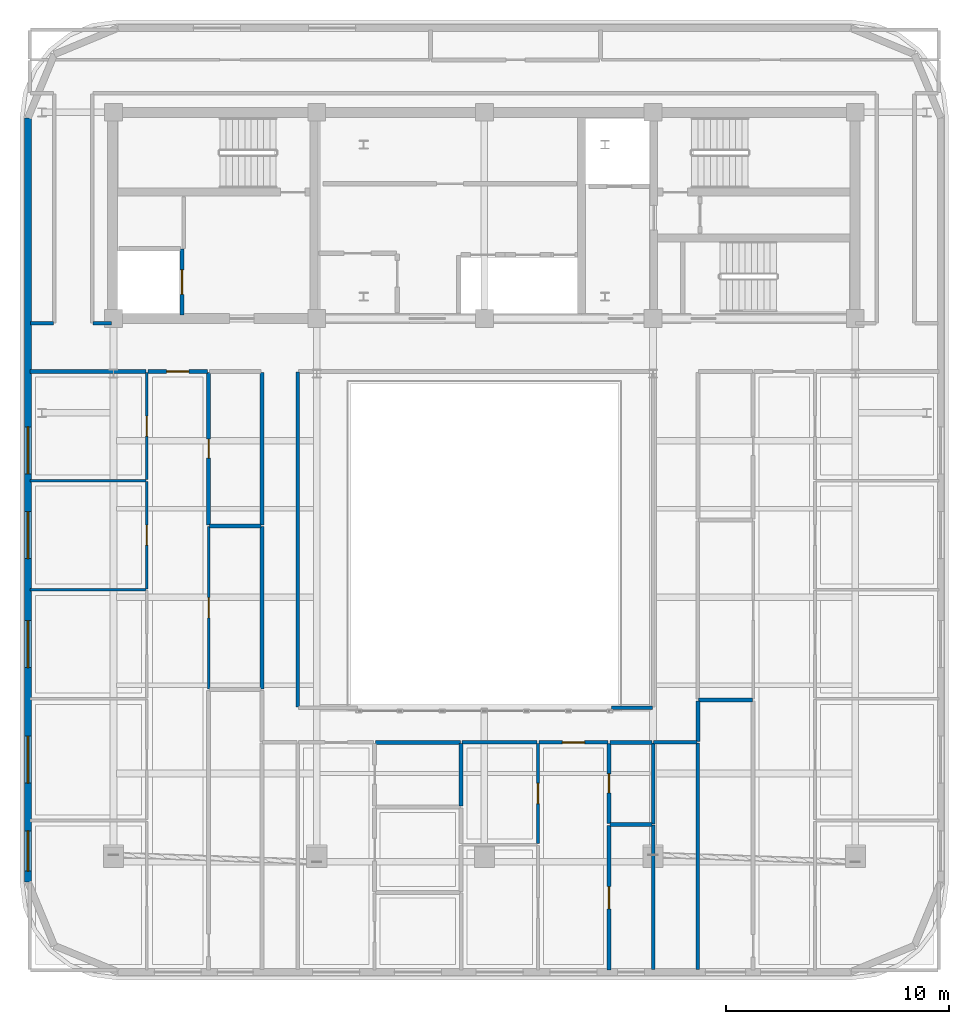
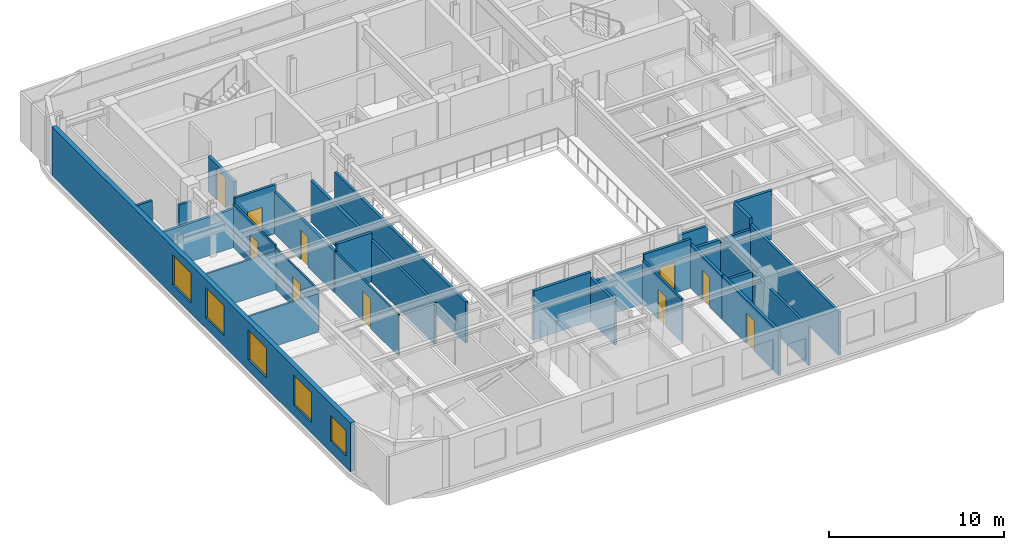
# One storey, part 7 of 13: 32 walls, 10 doors, 5 windows, 15 openings.
"""IFC4 building model written with IfcOpenShell, lengths in metres."""

from ifc_helpers import new_model, si_unit, direction, frame, frame_2d, origin, place, context, subcontext, project, spatial, rectangle, extrude, material, layer, layer_set, type_object, element, fill, save


model = new_model("IFC4")

# Units and contexts
model_context = context("Model", 3, precision=1e-05, world=origin(), true_north=direction((0.0, 1.0)))
body_context = subcontext(model_context, "Body", "Model", "MODEL_VIEW")
ifc_project = project(units=[si_unit("LENGTHUNIT", "METRE"), si_unit("AREAUNIT", "SQUARE_METRE"), si_unit("VOLUMEUNIT", "CUBIC_METRE"), si_unit("PLANEANGLEUNIT", "RADIAN"), si_unit("MASSUNIT", "GRAM", prefix="KILO")], contexts=[model_context])

# Site, building, storey
site_placement = place(None, origin())
site = spatial("IfcSite", under=ifc_project, at=site_placement, CompositionType="ELEMENT")
building_placement = place(site_placement, origin())
building = spatial("IfcBuilding", under=site, at=building_placement, Name="Zarnavel Station Tower", CompositionType="ELEMENT")
storey_placement = place(building_placement, frame((0.0, 0.0, 247.300048828125)))
storey = spatial("IfcBuildingStorey", under=building, at=storey_placement, Name="L67", CompositionType="ELEMENT", Elevation=247.300048828125)

# Wall, openings, windows
ifc_material_1 = material(Name="Precast concrete C45/55 (Dark Basalt Finish)", Category="masonry")
ifc_layer_1 = layer(ifc_material_1, 0.300048828125)
ifc_layer_set_1 = layer_set([ifc_layer_1], Name="EW_BASALT_300")
wall_type_1 = type_object("IfcWallType", Name="EW_BASALT_300", PredefinedType="SOLIDWALL", material=ifc_layer_set_1)
wall_1_placement = place(storey_placement, frame((8.3798828125, 2.60009765625, 0.0), z_axis=(0.0, 0.0, 1.0), x_axis=(0.0, 1.0, 0.0)))
wall_1 = element("IfcWall", 1, at=wall_1_placement, inside=storey, type_object=wall_type_1, Name="L67 Exterior Basalt Masonry Frame Wall 09", PredefinedType="SOLIDWALL", context=body_context, shape_type="SweptSolid", body=[
    extrude(rectangle(XDim=34.199951171875, YDim=0.300048828125, at=frame_2d((17.10009765625, 0.0))), origin(), (0.0, 0.0, 1.0), 3.419921875),
])
opening_1_placement = place(wall_1_placement, frame((0.488525390625, 0.0, 0.800048828125)))
opening_1 = element("IfcOpeningElement", 2, at=opening_1_placement, cuts=wall_1, Name="Opening WN02", PredefinedType="OPENING", context=body_context, shape_type="SweptSolid", body=[
    extrude(rectangle(XDim=1.800048828125, YDim=1.800048828125, at=frame_2d((0.89990234375, 0.89990234375))), frame((0.0, 0.159912109375, 0.0), z_axis=(0.0, -1.0, 0.0), x_axis=(1.0, 0.0, 0.0)), (0.0, 0.0, 1.0), 0.320068359375),
])
opening_2_placement = place(wall_1_placement, frame((4.431396484375, 0.0, 0.75)))
opening_2 = element("IfcOpeningElement", 3, at=opening_2_placement, cuts=wall_1, Name="Opening WN05", PredefinedType="OPENING", context=body_context, shape_type="SweptSolid", body=[
    extrude(rectangle(XDim=2.10009765625, YDim=2.10009765625, at=frame_2d((1.050048828125, 1.050048828125))), frame((0.0, 0.159912109375, 0.0), z_axis=(0.0, -1.0, 0.0), x_axis=(1.0, 0.0, 0.0)), (0.0, 0.0, 1.0), 0.320068359375),
])
opening_3_placement = place(wall_1_placement, frame((9.596435546875, 0.0, 0.75)))
opening_3 = element("IfcOpeningElement", 4, at=opening_3_placement, cuts=wall_1, Name="Opening WN05", PredefinedType="OPENING", context=body_context, shape_type="SweptSolid", body=[
    extrude(rectangle(XDim=2.10009765625, YDim=2.10009765625, at=frame_2d((1.050048828125, 1.050048828125))), frame((0.0, 0.159912109375, 0.0), z_axis=(0.0, -1.0, 0.0), x_axis=(1.0, 0.0, 0.0)), (0.0, 0.0, 1.0), 0.320068359375),
])
opening_4_placement = place(wall_1_placement, frame((14.4775390625, 0.0, 0.75)))
opening_4 = element("IfcOpeningElement", 5, at=opening_4_placement, cuts=wall_1, Name="Opening WN05", PredefinedType="OPENING", context=body_context, shape_type="SweptSolid", body=[
    extrude(rectangle(XDim=2.10009765625, YDim=2.10009765625, at=frame_2d((1.050048828125, 1.050048828125))), frame((0.0, 0.159912109375, 0.0), z_axis=(0.0, -1.0, 0.0), x_axis=(1.0, 0.0, 0.0)), (0.0, 0.0, 1.0), 0.320068359375),
])
opening_5_placement = place(wall_1_placement, frame((18.26806640625, 0.0, 0.75)))
opening_5 = element("IfcOpeningElement", 6, at=opening_5_placement, cuts=wall_1, Name="Opening WN05", PredefinedType="OPENING", context=body_context, shape_type="SweptSolid", body=[
    extrude(rectangle(XDim=2.10009765625, YDim=2.10009765625, at=frame_2d((1.050048828125, 1.050048828125))), frame((0.0, 0.159912109375, 0.0), z_axis=(0.0, -1.0, 0.0), x_axis=(1.0, 0.0, 0.0)), (0.0, 0.0, 1.0), 0.320068359375),
])
ifc_material_2 = material(Name="Thermally Broken Black Aluminium and Low-E Dark Glass", Category="aluminium")
window_type_1 = type_object("IfcWindowType", Name="WN_1800x1800", PartitioningType="DOUBLE_PANEL_VERTICAL", PredefinedType="WINDOW", material=ifc_material_2)
window_1_placement = place(opening_1_placement, origin())
window_1 = element("IfcWindow", 7, at=window_1_placement, inside=storey, type_object=window_type_1, Name="L67 Recessed Facade Window 01", OverallHeight=1.800048828125, OverallWidth=1.800048828125, PartitioningType="SINGLE_PANEL", PredefinedType="WINDOW", context=body_context, shape_type="SweptSolid", body=[
    extrude(rectangle(XDim=1.800048828125, YDim=1.800048828125, at=frame_2d((0.89990234375, 0.89990234375))), frame((0.0, 0.030029296875, 0.0), z_axis=(0.0, -1.0, 0.0), x_axis=(1.0, 0.0, 0.0)), (0.0, 0.0, 1.0), 0.06005859375),
])
fill(opening_1, window_1)
ifc_material_3 = material(Name="Thermally Broken Black Aluminium and Low-E Dark Glass", Category="aluminium")
window_type_2 = type_object("IfcWindowType", Name="WN_2100x2100", PartitioningType="TRIPLE_PANEL_VERTICAL", PredefinedType="WINDOW", material=ifc_material_3)
window_2_placement = place(opening_2_placement, origin())
window_2 = element("IfcWindow", 8, at=window_2_placement, inside=storey, type_object=window_type_2, Name="L67 Recessed Facade Window 02", OverallHeight=2.10009765625, OverallWidth=2.10009765625, PartitioningType="SINGLE_PANEL", PredefinedType="WINDOW", context=body_context, shape_type="SweptSolid", body=[
    extrude(rectangle(XDim=2.10009765625, YDim=2.10009765625, at=frame_2d((1.050048828125, 1.050048828125))), frame((0.0, 0.030029296875, 0.0), z_axis=(0.0, -1.0, 0.0), x_axis=(1.0, 0.0, 0.0)), (0.0, 0.0, 1.0), 0.06005859375),
])
fill(opening_2, window_2)
window_3_placement = place(opening_3_placement, origin())
window_3 = element("IfcWindow", 9, at=window_3_placement, inside=storey, type_object=window_type_2, Name="L67 Recessed Facade Window 03", OverallHeight=2.10009765625, OverallWidth=2.10009765625, PartitioningType="SINGLE_PANEL", PredefinedType="WINDOW", context=body_context, shape_type="SweptSolid", body=[
    extrude(rectangle(XDim=2.10009765625, YDim=2.10009765625, at=frame_2d((1.050048828125, 1.050048828125))), frame((0.0, 0.030029296875, 0.0), z_axis=(0.0, -1.0, 0.0), x_axis=(1.0, 0.0, 0.0)), (0.0, 0.0, 1.0), 0.06005859375),
])
fill(opening_3, window_3)
window_4_placement = place(opening_4_placement, origin())
window_4 = element("IfcWindow", 10, at=window_4_placement, inside=storey, type_object=window_type_2, Name="L67 Recessed Facade Window 04", OverallHeight=2.10009765625, OverallWidth=2.10009765625, PartitioningType="SINGLE_PANEL", PredefinedType="WINDOW", context=body_context, shape_type="SweptSolid", body=[
    extrude(rectangle(XDim=2.10009765625, YDim=2.10009765625, at=frame_2d((1.050048828125, 1.050048828125))), frame((0.0, 0.030029296875, 0.0), z_axis=(0.0, -1.0, 0.0), x_axis=(1.0, 0.0, 0.0)), (0.0, 0.0, 1.0), 0.06005859375),
])
fill(opening_4, window_4)
window_5_placement = place(opening_5_placement, origin())
window_5 = element("IfcWindow", 11, at=window_5_placement, inside=storey, type_object=window_type_2, Name="L67 Recessed Facade Window 05", OverallHeight=2.10009765625, OverallWidth=2.10009765625, PartitioningType="SINGLE_PANEL", PredefinedType="WINDOW", context=body_context, shape_type="SweptSolid", body=[
    extrude(rectangle(XDim=2.10009765625, YDim=2.10009765625, at=frame_2d((1.050048828125, 1.050048828125))), frame((0.0, 0.030029296875, 0.0), z_axis=(0.0, -1.0, 0.0), x_axis=(1.0, 0.0, 0.0)), (0.0, 0.0, 1.0), 0.06005859375),
])
fill(opening_5, window_5)

# Wall, opening, door
ifc_material_4 = material(Name="Gypsum Twin-Stud Acoustic Fire Partition", Category="concrete")
ifc_layer_2 = layer(ifc_material_4, 0.159912109375)
ifc_layer_set_2 = layer_set([ifc_layer_2], Name="PT_DEMISE_160")
wall_type_2 = type_object("IfcWallType", Name="PT_DEMISE_160", PredefinedType="PARTITIONING", material=ifc_layer_set_2)
wall_2_placement = place(storey_placement, frame((13.738037109375, 25.449951171875, 0.0), z_axis=(0.0, 0.0, 1.0), x_axis=(1.0, 0.0, 0.0)))
wall_2 = element("IfcWall", 12, at=wall_2_placement, inside=storey, type_object=wall_type_2, Name="L67 Partition COR-S-UW1LV", PredefinedType="PARTITIONING", context=body_context, shape_type="SweptSolid", body=[
    extrude(rectangle(XDim=2.681884765625, YDim=0.159912109375, at=frame_2d((1.3408203125, 0.0))), origin(), (0.0, 0.0, 1.0), 3.419921875),
])
opening_6_placement = place(wall_2_placement, frame((0.841064453125, 0.0, 0.0)))
opening_6 = element("IfcOpeningElement", 13, at=opening_6_placement, cuts=wall_2, Name="Opening FD02", PredefinedType="OPENING", context=body_context, shape_type="SweptSolid", body=[
    extrude(rectangle(XDim=1.0, YDim=2.14990234375, at=frame_2d((0.5, 1.074951171875))), frame((0.0, 0.08984375, 0.0), z_axis=(0.0, -1.0, 0.0), x_axis=(1.0, 0.0, 0.0)), (0.0, 0.0, 1.0), 0.179931640625),
])
ifc_material_5 = material(Name="Painted Galvanised Steel and Hardwood Leaf", Category="steel")
door_type_1 = type_object("IfcDoorType", Name="ID_ENTRY_1000", OperationType="NOTDEFINED", PredefinedType="DOOR", material=ifc_material_5)
door_1_placement = place(opening_6_placement, origin())
door_1 = element("IfcDoor", 14, at=door_1_placement, inside=storey, type_object=door_type_1, Name="L67 Door COR-S-UW1LV", OperationType="SINGLE_SWING_LEFT", OverallHeight=2.14990234375, OverallWidth=1.0, PredefinedType="DOOR", context=body_context, shape_type="SweptSolid", body=[
    extrude(rectangle(XDim=1.0, YDim=2.14990234375, at=frame_2d((0.5, 1.074951171875))), frame((0.0, 0.02490234375, 0.0), z_axis=(0.0, -1.0, 0.0), x_axis=(1.0, 0.0, 0.0)), (0.0, 0.0, 1.0), 0.050048828125),
])
fill(opening_6, door_1)

# Walls
wall_3_placement = place(storey_placement, frame((8.4599609375, 25.449951171875, 0.0), z_axis=(0.0, 0.0, 1.0), x_axis=(1.0, 0.0, 0.0)))
element("IfcWall", 15, at=wall_3_placement, inside=storey, type_object=wall_type_2, Name="L67 Partition COR-S-UW1B5", PredefinedType="PARTITIONING", context=body_context, shape_type="SweptSolid", body=[
    extrude(rectangle(XDim=5.197998046875, YDim=0.159912109375, at=frame_2d((2.59912109375, 0.0))), origin(), (0.0, 0.0, 1.0), 2.699951171875),
])
wall_4_placement = place(storey_placement, frame((18.85009765625, 11.251953125, 0.0), z_axis=(0.0, 0.0, 1.0), x_axis=(0.0, 1.0, 0.0)))
element("IfcWall", 16, at=wall_4_placement, inside=storey, type_object=wall_type_2, Name="L67 Partition COR-AW-UW1UT", PredefinedType="PARTITIONING", context=body_context, shape_type="SweptSolid", body=[
    extrude(rectangle(XDim=7.254150390625, YDim=0.159912109375, at=frame_2d((3.626953125, 0.0))), origin(), (0.0, 0.0, 1.0), 2.89990234375),
])

# Wall, opening, door
wall_5_placement = place(storey_placement, frame((31.238037109375, 8.85009765625, 0.0), z_axis=(0.0, 0.0, 1.0), x_axis=(1.0, 0.0, 0.0)))
wall_5 = element("IfcWall", 17, at=wall_5_placement, inside=storey, type_object=wall_type_2, Name="L67 Partition COR-AS-US1BLV", PredefinedType="PARTITIONING", context=body_context, shape_type="SweptSolid", body=[
    extrude(rectangle(XDim=3.096923828125, YDim=0.159912109375, at=frame_2d((1.54833984375, 0.0))), origin(), (0.0, 0.0, 1.0), 3.419921875),
])
opening_7_placement = place(wall_5_placement, frame((1.048583984375, 0.0, 0.0)))
opening_7 = element("IfcOpeningElement", 18, at=opening_7_placement, cuts=wall_5, Name="Opening FD02", PredefinedType="OPENING", context=body_context, shape_type="SweptSolid", body=[
    extrude(rectangle(XDim=1.0, YDim=2.14990234375, at=frame_2d((0.5, 1.074951171875))), frame((0.0, 0.08984375, 0.0), z_axis=(0.0, -1.0, 0.0), x_axis=(1.0, 0.0, 0.0)), (0.0, 0.0, 1.0), 0.179931640625),
])
door_2_placement = place(opening_7_placement, origin())
door_2 = element("IfcDoor", 19, at=door_2_placement, inside=storey, type_object=door_type_1, Name="L67 Door COR-AS-US1BLV", OperationType="SINGLE_SWING_RIGHT", OverallHeight=2.14990234375, OverallWidth=1.0, PredefinedType="DOOR", context=body_context, shape_type="SweptSolid", body=[
    extrude(rectangle(XDim=1.0, YDim=2.14990234375, at=frame_2d((0.5, 1.074951171875))), frame((0.0, 0.02490234375, 0.0), z_axis=(0.0, -1.0, 0.0), x_axis=(1.0, 0.0, 0.0)), (0.0, 0.0, 1.0), 0.050048828125),
])
fill(opening_7, door_2)

# Walls
wall_6_placement = place(storey_placement, frame((27.803955078125, 8.85009765625, 0.0), z_axis=(0.0, 0.0, 1.0), x_axis=(1.0, 0.0, 0.0)))
element("IfcWall", 20, at=wall_6_placement, inside=storey, type_object=wall_type_2, Name="L67 Partition COR-AS-US1BB2", PredefinedType="PARTITIONING", context=body_context, shape_type="SweptSolid", body=[
    extrude(rectangle(XDim=3.35400390625, YDim=0.159912109375, at=frame_2d((1.677001953125, 0.0))), origin(), (0.0, 0.0, 1.0), 2.699951171875),
])
wall_7_placement = place(storey_placement, frame((8.489990234375, 27.60009765625, 0.0), z_axis=(0.0, 0.0, 1.0), x_axis=(1.0, 0.0, 0.0)))
element("IfcWall", 21, at=wall_7_placement, inside=storey, type_object=wall_type_2, Name="L67 Enclosure Wall COR-S", PredefinedType="PARTITIONING", context=body_context, shape_type="SweptSolid", body=[
    extrude(rectangle(XDim=1.030029296875, YDim=0.159912109375, at=frame_2d((0.51513671875, 0.0))), origin(), (0.0, 0.0, 1.0), 3.419921875),
])
wall_8_placement = place(storey_placement, frame((11.280029296875, 27.60009765625, 0.0), z_axis=(0.0, 0.0, 1.0), x_axis=(1.0, 0.0, 0.0)))
element("IfcWall", 22, at=wall_8_placement, inside=storey, type_object=wall_type_2, Name="L67 Enclosure Wall COR-S", PredefinedType="PARTITIONING", context=body_context, shape_type="SweptSolid", body=[
    extrude(rectangle(XDim=0.840087890625, YDim=0.159912109375, at=frame_2d((0.419921875, 0.0))), origin(), (0.0, 0.0, 1.0), 2.489990234375),
])
wall_9_placement = place(storey_placement, frame((20.449951171875, 10.429931640625, 0.0), z_axis=(0.0, 0.0, 1.0), x_axis=(0.0, 1.0, 0.0)))
element("IfcWall", 23, at=wall_9_placement, inside=storey, type_object=wall_type_2, Name="L67 Enclosure Wall COR-AW", PredefinedType="PARTITIONING", context=body_context, shape_type="SweptSolid", body=[
    extrude(rectangle(XDim=14.989990234375, YDim=0.159912109375, at=frame_2d((7.4951171875, 0.0))), origin(), (0.0, 0.0, 1.0), 2.89990234375),
])
wall_10_placement = place(storey_placement, frame((36.3798828125, 8.85009765625, 0.0), z_axis=(0.0, 0.0, 1.0), x_axis=(1.0, 0.0, 0.0)))
element("IfcWall", 24, at=wall_10_placement, inside=storey, type_object=wall_type_2, Name="L67 Enclosure Wall COR-AE", PredefinedType="PARTITIONING", context=body_context, shape_type="SweptSolid", body=[
    extrude(rectangle(XDim=1.940185546875, YDim=0.159912109375, at=frame_2d((0.97021484375, 0.0))), origin(), (0.0, 0.0, 1.0), 2.699951171875),
])
wall_11_placement = place(storey_placement, frame((34.47998046875, 10.39990234375, 0.0), z_axis=(0.0, 0.0, 1.0), x_axis=(1.0, 0.0, 0.0)))
element("IfcWall", 25, at=wall_11_placement, inside=storey, type_object=wall_type_2, Name="L67 Enclosure Wall COR-AS", PredefinedType="PARTITIONING", context=body_context, shape_type="SweptSolid", body=[
    extrude(rectangle(XDim=1.840087890625, YDim=0.159912109375, at=frame_2d((0.919921875, 0.0))), origin(), (0.0, 0.0, 1.0), 2.699951171875),
])
wall_12_placement = place(storey_placement, frame((36.35009765625, -1.31005859375, 0.0), z_axis=(0.0, 0.0, 1.0), x_axis=(0.0, 1.0, 0.0)))
element("IfcWall", 26, at=wall_12_placement, inside=storey, type_object=wall_type_2, Name="L67 Enclosure Wall US1BKT", PredefinedType="PARTITIONING", context=body_context, shape_type="SweptSolid", body=[
    extrude(rectangle(XDim=6.462158203125, YDim=0.159912109375, at=frame_2d((3.23095703125, 0.0))), origin(), (0.0, 0.0, 1.0), 2.699951171875),
])
wall_13_placement = place(storey_placement, frame((36.35009765625, 5.2119140625, 0.0), z_axis=(0.0, 0.0, 1.0), x_axis=(0.0, 1.0, 0.0)))
element("IfcWall", 27, at=wall_13_placement, inside=storey, type_object=wall_type_2, Name="L67 Enclosure Wall US1BBA", PredefinedType="PARTITIONING", context=body_context, shape_type="SweptSolid", body=[
    extrude(rectangle(XDim=3.608154296875, YDim=0.159912109375, at=frame_2d((1.80419921875, 0.0))), origin(), (0.0, 0.0, 1.0), 2.699951171875),
])
wall_14_placement = place(storey_placement, frame((38.35009765625, -1.31005859375, 0.0), z_axis=(0.0, 0.0, 1.0), x_axis=(0.0, 1.0, 0.0)))
element("IfcWall", 28, at=wall_14_placement, inside=storey, type_object=wall_type_2, Name="L67 Enclosure Wall UE1KT", PredefinedType="PARTITIONING", context=body_context, shape_type="SweptSolid", body=[
    extrude(rectangle(XDim=10.130126953125, YDim=0.159912109375, at=frame_2d((5.06494140625, 0.0))), origin(), (0.0, 0.0, 1.0), 3.050048828125),
])

# Wall, opening, door
ifc_material_6 = material(Name="Gypsum Metal-Stud Interior Partition", Category="concrete")
ifc_layer_3 = layer(ifc_material_6, 0.1201171875)
ifc_layer_set_3 = layer_set([ifc_layer_3], Name="PT_ROOM_120")
wall_type_3 = type_object("IfcWallType", Name="PT_ROOM_120", PredefinedType="PARTITIONING", material=ifc_layer_set_3)
wall_15_placement = place(storey_placement, frame((16.4599609375, 11.251953125, 0.0), z_axis=(0.0, 0.0, 1.0), x_axis=(0.0, 1.0, 0.0)))
wall_15 = element("IfcWall", 29, at=wall_15_placement, inside=storey, type_object=wall_type_3, Name="L67 Partition UW1LV-UW1UT", PredefinedType="PARTITIONING", context=body_context, shape_type="SweptSolid", body=[
    extrude(rectangle(XDim=7.254150390625, YDim=0.1201171875, at=frame_2d((3.626953125, 0.0))), origin(), (0.0, 0.0, 1.0), 2.89990234375),
])
opening_8_placement = place(wall_15_placement, frame((3.177001953125, 0.0, 0.0)))
opening_8 = element("IfcOpeningElement", 30, at=opening_8_placement, cuts=wall_15, Name="Opening ID01", PredefinedType="OPENING", context=body_context, shape_type="SweptSolid", body=[
    extrude(rectangle(XDim=0.89990234375, YDim=2.10009765625, at=frame_2d((0.449951171875, 1.050048828125))), frame((0.0, 0.070068359375, 0.0), z_axis=(0.0, -1.0, 0.0), x_axis=(1.0, 0.0, 0.0)), (0.0, 0.0, 1.0), 0.14013671875),
])
ifc_material_7 = material(Name="Painted Galvanised Steel and Hardwood Leaf", Category="steel")
door_type_2 = type_object("IfcDoorType", Name="ID_ROOM_900", OperationType="NOTDEFINED", PredefinedType="DOOR", material=ifc_material_7)
door_3_placement = place(opening_8_placement, origin())
door_3 = element("IfcDoor", 31, at=door_3_placement, inside=storey, type_object=door_type_2, Name="L67 Door UW1LV-UW1UT", OperationType="SINGLE_SWING_LEFT", OverallHeight=2.10009765625, OverallWidth=0.89990234375, PredefinedType="DOOR", context=body_context, shape_type="SweptSolid", body=[
    extrude(rectangle(XDim=0.89990234375, YDim=2.10009765625, at=frame_2d((0.449951171875, 1.050048828125))), frame((0.0, 0.02490234375, 0.0), z_axis=(0.0, -1.0, 0.0), x_axis=(1.0, 0.0, 0.0)), (0.0, 0.0, 1.0), 0.050048828125),
])
fill(opening_8, door_3)

wall_16_placement = place(storey_placement, frame((13.697998046875, 15.72705078125, 0.0), z_axis=(0.0, 0.0, 1.0), x_axis=(0.0, 1.0, 0.0)))
wall_16 = element("IfcWall", 32, at=wall_16_placement, inside=storey, type_object=wall_type_3, Name="L67 Partition UW1LV-UW1B4", PredefinedType="PARTITIONING", context=body_context, shape_type="SweptSolid", body=[
    extrude(rectangle(XDim=4.801025390625, YDim=0.1201171875, at=frame_2d((2.400390625, 0.0))), origin(), (0.0, 0.0, 1.0), 2.89990234375),
])
opening_9_placement = place(wall_16_placement, frame((1.950439453125, 0.0, 0.0)))
opening_9 = element("IfcOpeningElement", 33, at=opening_9_placement, cuts=wall_16, Name="Opening ID01", PredefinedType="OPENING", context=body_context, shape_type="SweptSolid", body=[
    extrude(rectangle(XDim=0.89990234375, YDim=2.10009765625, at=frame_2d((0.449951171875, 1.050048828125))), frame((0.0, 0.070068359375, 0.0), z_axis=(0.0, -1.0, 0.0), x_axis=(1.0, 0.0, 0.0)), (0.0, 0.0, 1.0), 0.14013671875),
])
door_4_placement = place(opening_9_placement, origin())
door_4 = element("IfcDoor", 34, at=door_4_placement, inside=storey, type_object=door_type_2, Name="L67 Door UW1LV-UW1B4", OperationType="SINGLE_SWING_RIGHT", OverallHeight=2.10009765625, OverallWidth=0.89990234375, PredefinedType="DOOR", context=body_context, shape_type="SweptSolid", body=[
    extrude(rectangle(XDim=0.89990234375, YDim=2.10009765625, at=frame_2d((0.449951171875, 1.050048828125))), frame((0.0, 0.02490234375, 0.0), z_axis=(0.0, -1.0, 0.0), x_axis=(1.0, 0.0, 0.0)), (0.0, 0.0, 1.0), 0.050048828125),
])
fill(opening_9, door_4)

wall_17_placement = place(storey_placement, frame((13.697998046875, 20.60791015625, 0.0), z_axis=(0.0, 0.0, 1.0), x_axis=(0.0, 1.0, 0.0)))
wall_17 = element("IfcWall", 35, at=wall_17_placement, inside=storey, type_object=wall_type_3, Name="L67 Partition UW1LV-UW1B5", PredefinedType="PARTITIONING", context=body_context, shape_type="SweptSolid", body=[
    extrude(rectangle(XDim=4.802001953125, YDim=0.1201171875, at=frame_2d((2.40087890625, 0.0))), origin(), (0.0, 0.0, 1.0), 3.050048828125),
])
opening_10_placement = place(wall_17_placement, frame((1.950927734375, 0.0, 0.0)))
opening_10 = element("IfcOpeningElement", 36, at=opening_10_placement, cuts=wall_17, Name="Opening ID01", PredefinedType="OPENING", context=body_context, shape_type="SweptSolid", body=[
    extrude(rectangle(XDim=0.89990234375, YDim=2.10009765625, at=frame_2d((0.449951171875, 1.050048828125))), frame((0.0, 0.070068359375, 0.0), z_axis=(0.0, -1.0, 0.0), x_axis=(1.0, 0.0, 0.0)), (0.0, 0.0, 1.0), 0.14013671875),
])
door_5_placement = place(opening_10_placement, origin())
door_5 = element("IfcDoor", 37, at=door_5_placement, inside=storey, type_object=door_type_2, Name="L67 Door UW1LV-UW1B5", OperationType="SINGLE_SWING_LEFT", OverallHeight=2.10009765625, OverallWidth=0.89990234375, PredefinedType="DOOR", context=body_context, shape_type="SweptSolid", body=[
    extrude(rectangle(XDim=0.89990234375, YDim=2.10009765625, at=frame_2d((0.449951171875, 1.050048828125))), frame((0.0, 0.02490234375, 0.0), z_axis=(0.0, -1.0, 0.0), x_axis=(1.0, 0.0, 0.0)), (0.0, 0.0, 1.0), 0.050048828125),
])
fill(opening_10, door_5)

# Walls
for number, where, z_axis, x_axis, name in (
    (38, (8.4599609375, 15.68701171875, 0.0), (0.0, 0.0, 1.0), (1.0, 0.0, 0.0), "L67 Partition UW1B3-UW1B4"),
    (39, (8.4599609375, 20.568115234375, 0.0), (0.0, 0.0, 1.0), (1.0, 0.0, 0.0), "L67 Partition UW1B4-UW1B5"),
):
    element("IfcWall", number, at=place(storey_placement, frame(where, z_axis=z_axis, x_axis=x_axis)), inside=storey, type_object=wall_type_3, Name=name, PredefinedType="PARTITIONING", context=body_context, shape_type="SweptSolid", body=[
        extrude(rectangle(XDim=5.197998046875, YDim=0.1201171875, at=frame_2d((2.59912109375, 0.0))), origin(), (0.0, 0.0, 1.0), 2.699951171875),
    ])

# Wall, opening, door
wall_18_placement = place(storey_placement, frame((31.197998046875, 4.319091796875, 0.0), z_axis=(0.0, 0.0, 1.0), x_axis=(0.0, 1.0, 0.0)))
wall_18 = element("IfcWall", 40, at=wall_18_placement, inside=storey, type_object=wall_type_3, Name="L67 Partition US1BLV-US1BB2", PredefinedType="PARTITIONING", context=body_context, shape_type="SweptSolid", body=[
    extrude(rectangle(XDim=4.490966796875, YDim=0.1201171875, at=frame_2d((2.24560546875, 0.0))), origin(), (0.0, 0.0, 1.0), 3.0400390625),
])
opening_11_placement = place(wall_18_placement, frame((1.79541015625, 0.0, 0.0)))
opening_11 = element("IfcOpeningElement", 41, at=opening_11_placement, cuts=wall_18, Name="Opening ID01", PredefinedType="OPENING", context=body_context, shape_type="SweptSolid", body=[
    extrude(rectangle(XDim=0.89990234375, YDim=2.10009765625, at=frame_2d((0.449951171875, 1.050048828125))), frame((0.0, 0.070068359375, 0.0), z_axis=(0.0, -1.0, 0.0), x_axis=(1.0, 0.0, 0.0)), (0.0, 0.0, 1.0), 0.14013671875),
])
door_6_placement = place(opening_11_placement, origin())
door_6 = element("IfcDoor", 42, at=door_6_placement, inside=storey, type_object=door_type_2, Name="L67 Door US1BLV-US1BB2", OperationType="SINGLE_SWING_RIGHT", OverallHeight=2.10009765625, OverallWidth=0.89990234375, PredefinedType="DOOR", context=body_context, shape_type="SweptSolid", body=[
    extrude(rectangle(XDim=0.89990234375, YDim=2.10009765625, at=frame_2d((0.449951171875, 1.050048828125))), frame((0.0, 0.02490234375, 0.0), z_axis=(0.0, -1.0, 0.0), x_axis=(1.0, 0.0, 0.0)), (0.0, 0.0, 1.0), 0.050048828125),
])
fill(opening_11, door_6)

ifc_material_8 = material(Name="Precast concrete C45/55 (Fire Shaft Blockwork)", Category="masonry")
ifc_layer_4 = layer(ifc_material_8, 0.199951171875)
ifc_layer_set_4 = layer_set([ifc_layer_4], Name="PT_SHAFT_200")
wall_type_4 = type_object("IfcWallType", Name="PT_SHAFT_200", PredefinedType="PARTITIONING", material=ifc_layer_set_4)
wall_19_placement = place(storey_placement, frame((15.27001953125, 27.969970703125, 0.0), z_axis=(0.0, 0.0, 1.0), x_axis=(0.0, 1.0, 0.0)))
wall_19 = element("IfcWall", 43, at=wall_19_placement, inside=storey, type_object=wall_type_4, Name="L67 Lift FFL-01 Shaft Front Wall", PredefinedType="PARTITIONING", context=body_context, shape_type="SweptSolid", body=[
    extrude(rectangle(XDim=2.9599609375, YDim=0.199951171875, at=frame_2d((1.47998046875, 0.0))), origin(), (0.0, 0.0, 1.0), 2.489990234375),
])
opening_12_placement = place(wall_19_placement, frame((0.929931640625, 0.0, 0.0)))
opening_12 = element("IfcOpeningElement", 44, at=opening_12_placement, cuts=wall_19, Name="Opening LD01", PredefinedType="OPENING", context=body_context, shape_type="SweptSolid", body=[
    extrude(rectangle(XDim=1.10009765625, YDim=2.14990234375, at=frame_2d((0.550048828125, 1.074951171875))), frame((0.0, 0.10986328125, 0.0), z_axis=(0.0, -1.0, 0.0), x_axis=(1.0, 0.0, 0.0)), (0.0, 0.0, 1.0), 0.219970703125),
])
ifc_material_9 = material(Name="Painted Galvanised Steel and Hardwood Leaf", Category="steel")
door_type_3 = type_object("IfcDoorType", Name="LD_FF_1100", OperationType="DOUBLE_DOOR_SLIDING", PredefinedType="DOOR", material=ifc_material_9)
door_7_placement = place(opening_12_placement, origin())
door_7 = element("IfcDoor", 45, at=door_7_placement, inside=storey, type_object=door_type_3, Name="L67 Lift FFL-01 Sliding Landing Door", OperationType="DOUBLE_DOOR_SLIDING", OverallHeight=2.14990234375, OverallWidth=1.10009765625, PredefinedType="DOOR", context=body_context, shape_type="SweptSolid", body=[
    extrude(rectangle(XDim=1.10009765625, YDim=2.14990234375, at=frame_2d((0.550048828125, 1.074951171875))), frame((0.0, 0.02490234375, 0.0), z_axis=(0.0, -1.0, 0.0), x_axis=(1.0, 0.0, 0.0)), (0.0, 0.0, 1.0), 0.050048828125),
])
fill(opening_12, door_7)

# Walls
ifc_material_10 = material(Name="Moisture-Resistant Plumbing Chase Wall", Category="concrete")
ifc_layer_5 = layer(ifc_material_10, 0.179931640625)
ifc_layer_set_5 = layer_set([ifc_layer_5], Name="PW_PLUMB_180")
wall_type_5 = type_object("IfcWallType", Name="PW_PLUMB_180", PredefinedType="PLUMBINGWALL", material=ifc_layer_set_5)
wall_20_placement = place(storey_placement, frame((18.85009765625, 18.5859375, 0.0), z_axis=(0.0, 0.0, 1.0), x_axis=(0.0, 1.0, 0.0)))
element("IfcWall", 46, at=wall_20_placement, inside=storey, type_object=wall_type_5, Name="L67 Partition COR-AW-UW1BA", PredefinedType="PLUMBINGWALL", context=body_context, shape_type="SweptSolid", body=[
    extrude(rectangle(XDim=6.823974609375, YDim=0.179931640625, at=frame_2d((3.412109375, 0.0))), origin(), (0.0, 0.0, 1.0), 2.89990234375),
])
wall_21_placement = place(storey_placement, frame((38.35009765625, 8.889892578125, 0.0), z_axis=(0.0, 0.0, 1.0), x_axis=(0.0, 1.0, 0.0)))
element("IfcWall", 47, at=wall_21_placement, inside=storey, type_object=wall_type_5, Name="L67 Partition COR-AE-UE1KT", PredefinedType="PLUMBINGWALL", context=body_context, shape_type="SweptSolid", body=[
    extrude(rectangle(XDim=1.817138671875, YDim=0.179931640625, at=frame_2d((0.90869140625, 0.0))), origin(), (0.0, 0.0, 1.0), 3.419921875),
])
wall_22_placement = place(storey_placement, frame((23.927978515625, 8.85009765625, 0.0), z_axis=(0.0, 0.0, 1.0), x_axis=(1.0, 0.0, 0.0)))
element("IfcWall", 48, at=wall_22_placement, inside=storey, type_object=wall_type_5, Name="L67 Partition COR-AS-US1ABA", PredefinedType="PLUMBINGWALL", context=body_context, shape_type="SweptSolid", body=[
    extrude(rectangle(XDim=3.796142578125, YDim=0.179931640625, at=frame_2d((1.89794921875, 0.0))), origin(), (0.0, 0.0, 1.0), 3.419921875),
])
wall_23_placement = place(storey_placement, frame((34.4150390625, 8.85009765625, 0.0), z_axis=(0.0, 0.0, 1.0), x_axis=(1.0, 0.0, 0.0)))
element("IfcWall", 49, at=wall_23_placement, inside=storey, type_object=wall_type_5, Name="L67 Partition COR-AS-US1BBA", PredefinedType="PLUMBINGWALL", context=body_context, shape_type="SweptSolid", body=[
    extrude(rectangle(XDim=1.89501953125, YDim=0.179931640625, at=frame_2d((0.947509765625, 0.0))), origin(), (0.0, 0.0, 1.0), 2.699951171875),
])

# Wall, opening, door
wall_24_placement = place(storey_placement, frame((16.4599609375, 18.5859375, 0.0), z_axis=(0.0, 0.0, 1.0), x_axis=(0.0, 1.0, 0.0)))
wall_24 = element("IfcWall", 50, at=wall_24_placement, inside=storey, type_object=wall_type_5, Name="L67 Partition UW1LV-UW1BA", PredefinedType="PLUMBINGWALL", context=body_context, shape_type="SweptSolid", body=[
    extrude(rectangle(XDim=6.823974609375, YDim=0.179931640625, at=frame_2d((3.412109375, 0.0))), origin(), (0.0, 0.0, 1.0), 2.89990234375),
])
opening_13_placement = place(wall_24_placement, frame((2.987060546875, 0.0, 0.0)))
opening_13 = element("IfcOpeningElement", 51, at=opening_13_placement, cuts=wall_24, Name="Opening ID02", PredefinedType="OPENING", context=body_context, shape_type="SweptSolid", body=[
    extrude(rectangle(XDim=0.85009765625, YDim=2.10009765625, at=frame_2d((0.425048828125, 1.050048828125))), frame((0.0, 0.099853515625, 0.0), z_axis=(0.0, -1.0, 0.0), x_axis=(1.0, 0.0, 0.0)), (0.0, 0.0, 1.0), 0.199951171875),
])
ifc_material_11 = material(Name="Painted Galvanised Steel and Hardwood Leaf", Category="steel")
door_type_4 = type_object("IfcDoorType", Name="ID_BATH_850", OperationType="NOTDEFINED", PredefinedType="DOOR", material=ifc_material_11)
door_8_placement = place(opening_13_placement, origin())
door_8 = element("IfcDoor", 52, at=door_8_placement, inside=storey, type_object=door_type_4, Name="L67 Door UW1LV-UW1BA", OperationType="SINGLE_SWING_RIGHT", OverallHeight=2.10009765625, OverallWidth=0.85009765625, PredefinedType="DOOR", context=body_context, shape_type="SweptSolid", body=[
    extrude(rectangle(XDim=0.85009765625, YDim=2.10009765625, at=frame_2d((0.425048828125, 1.050048828125))), frame((0.0, 0.02490234375, 0.0), z_axis=(0.0, -1.0, 0.0), x_axis=(1.0, 0.0, 0.0)), (0.0, 0.0, 1.0), 0.050048828125),
])
fill(opening_13, door_8)

# Walls
wall_25_placement = place(storey_placement, frame((16.5, 18.5458984375, 0.0), z_axis=(0.0, 0.0, 1.0), x_axis=(1.0, 0.0, 0.0)))
element("IfcWall", 53, at=wall_25_placement, inside=storey, type_object=wall_type_5, Name="L67 Partition UW1UT-UW1BA", PredefinedType="PLUMBINGWALL", context=body_context, shape_type="SweptSolid", body=[
    extrude(rectangle(XDim=2.31005859375, YDim=0.179931640625, at=frame_2d((1.155029296875, 0.0))), origin(), (0.0, 0.0, 1.0), 3.419921875),
])
wall_26_placement = place(storey_placement, frame((27.763916015625, 6.006103515625, 0.0), z_axis=(0.0, 0.0, 1.0), x_axis=(0.0, 1.0, 0.0)))
element("IfcWall", 54, at=wall_26_placement, inside=storey, type_object=wall_type_5, Name="L67 Partition US1ABA-US1BB2", PredefinedType="PLUMBINGWALL", context=body_context, shape_type="SweptSolid", body=[
    extrude(rectangle(XDim=2.803955078125, YDim=0.179931640625, at=frame_2d((1.40185546875, 0.0))), origin(), (0.0, 0.0, 1.0), 3.0400390625),
])

# Wall, opening, door
wall_27_placement = place(storey_placement, frame((34.375, -1.340087890625, 0.0), z_axis=(0.0, 0.0, 1.0), x_axis=(0.0, 1.0, 0.0)))
wall_27 = element("IfcWall", 55, at=wall_27_placement, inside=storey, type_object=wall_type_5, Name="L67 Partition US1BLV-US1BKT", PredefinedType="PLUMBINGWALL", context=body_context, shape_type="SweptSolid", body=[
    extrude(rectangle(XDim=6.482177734375, YDim=0.179931640625, at=frame_2d((3.2412109375, 0.0))), origin(), (0.0, 0.0, 1.0), 3.079833984375),
])
opening_14_placement = place(wall_27_placement, frame((2.740966796875, 0.0, 0.0)))
opening_14 = element("IfcOpeningElement", 56, at=opening_14_placement, cuts=wall_27, Name="Opening FD02", PredefinedType="OPENING", context=body_context, shape_type="SweptSolid", body=[
    extrude(rectangle(XDim=1.0, YDim=2.14990234375, at=frame_2d((0.5, 1.074951171875))), frame((0.0, 0.099853515625, 0.0), z_axis=(0.0, -1.0, 0.0), x_axis=(1.0, 0.0, 0.0)), (0.0, 0.0, 1.0), 0.199951171875),
])
door_9_placement = place(opening_14_placement, origin())
door_9 = element("IfcDoor", 57, at=door_9_placement, inside=storey, type_object=door_type_1, Name="L67 Door US1BLV-US1BKT", OperationType="SINGLE_SWING_LEFT", OverallHeight=2.14990234375, OverallWidth=1.0, PredefinedType="DOOR", context=body_context, shape_type="SweptSolid", body=[
    extrude(rectangle(XDim=1.0, YDim=2.14990234375, at=frame_2d((0.5, 1.074951171875))), frame((0.0, 0.02490234375, 0.0), z_axis=(0.0, -1.0, 0.0), x_axis=(1.0, 0.0, 0.0)), (0.0, 0.0, 1.0), 0.050048828125),
])
fill(opening_14, door_9)

wall_28_placement = place(storey_placement, frame((34.375, 5.221923828125, 0.0), z_axis=(0.0, 0.0, 1.0), x_axis=(0.0, 1.0, 0.0)))
wall_28 = element("IfcWall", 58, at=wall_28_placement, inside=storey, type_object=wall_type_5, Name="L67 Partition US1BLV-US1BBA", PredefinedType="PLUMBINGWALL", context=body_context, shape_type="SweptSolid", body=[
    extrude(rectangle(XDim=3.588134765625, YDim=0.179931640625, at=frame_2d((1.7939453125, 0.0))), origin(), (0.0, 0.0, 1.0), 3.0400390625),
])
opening_15_placement = place(wall_28_placement, frame((1.368896484375, 0.0, 0.0)))
opening_15 = element("IfcOpeningElement", 59, at=opening_15_placement, cuts=wall_28, Name="Opening ID02", PredefinedType="OPENING", context=body_context, shape_type="SweptSolid", body=[
    extrude(rectangle(XDim=0.85009765625, YDim=2.10009765625, at=frame_2d((0.425048828125, 1.050048828125))), frame((0.0, 0.099853515625, 0.0), z_axis=(0.0, -1.0, 0.0), x_axis=(1.0, 0.0, 0.0)), (0.0, 0.0, 1.0), 0.199951171875),
])
door_10_placement = place(opening_15_placement, origin())
door_10 = element("IfcDoor", 60, at=door_10_placement, inside=storey, type_object=door_type_4, Name="L67 Door US1BLV-US1BBA", OperationType="SINGLE_SWING_RIGHT", OverallHeight=2.10009765625, OverallWidth=0.85009765625, PredefinedType="DOOR", context=body_context, shape_type="SweptSolid", body=[
    extrude(rectangle(XDim=0.85009765625, YDim=2.10009765625, at=frame_2d((0.425048828125, 1.050048828125))), frame((0.0, 0.02490234375, 0.0), z_axis=(0.0, -1.0, 0.0), x_axis=(1.0, 0.0, 0.0)), (0.0, 0.0, 1.0), 0.050048828125),
])
fill(opening_15, door_10)

# Walls
wall_29_placement = place(storey_placement, frame((34.4150390625, 5.181884765625, 0.0), z_axis=(0.0, 0.0, 1.0), x_axis=(1.0, 0.0, 0.0)))
element("IfcWall", 61, at=wall_29_placement, inside=storey, type_object=wall_type_5, Name="L67 Partition US1BKT-US1BBA", PredefinedType="PLUMBINGWALL", context=body_context, shape_type="SweptSolid", body=[
    extrude(rectangle(XDim=1.89501953125, YDim=0.179931640625, at=frame_2d((0.947509765625, 0.0))), origin(), (0.0, 0.0, 1.0), 2.699951171875),
])
wall_30_placement = place(storey_placement, frame((38.389892578125, 10.7470703125, 0.0), z_axis=(0.0, 0.0, 1.0), x_axis=(1.0, 0.0, 0.0)))
element("IfcWall", 62, at=wall_30_placement, inside=storey, type_object=wall_type_5, Name="L67 Partition UE1KT-UE1UT", PredefinedType="PLUMBINGWALL", context=body_context, shape_type="SweptSolid", body=[
    extrude(rectangle(XDim=2.402099609375, YDim=0.179931640625, at=frame_2d((1.201171875, 0.0))), origin(), (0.0, 0.0, 1.0), 3.419921875),
])

save(model, "model.ifc")
